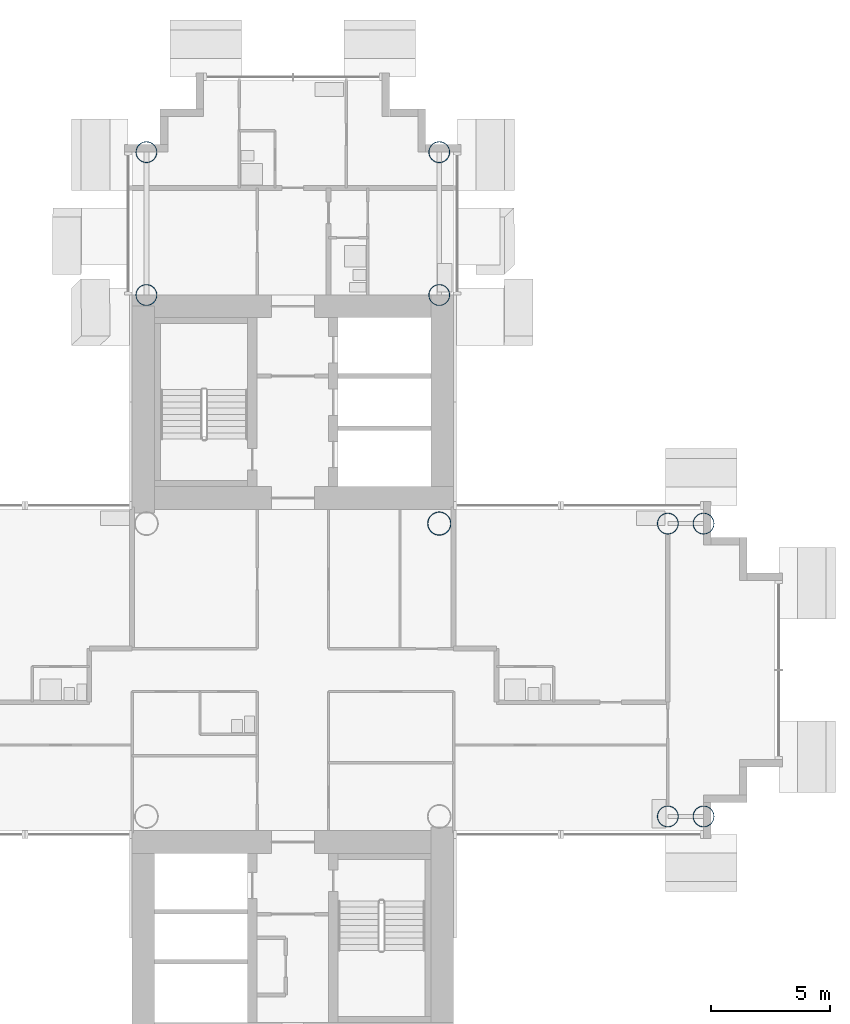
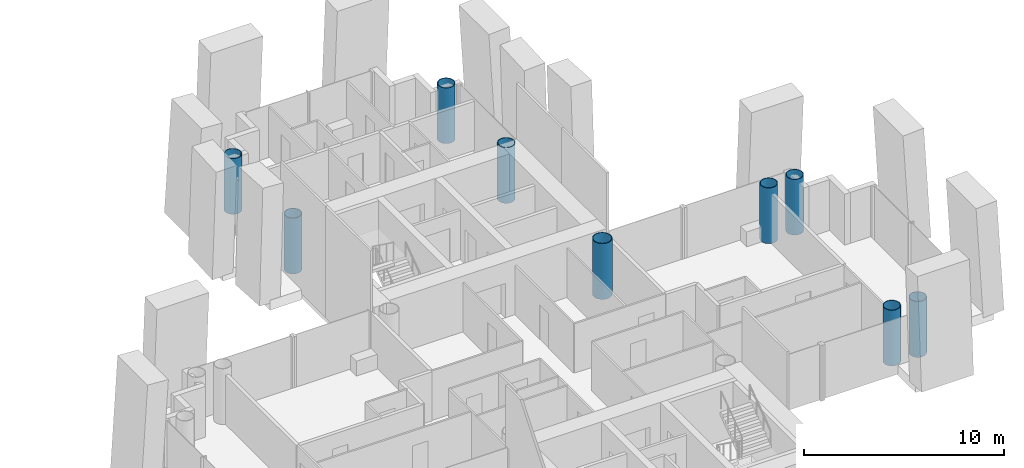
# One storey, part 2 of 21: 9 columns.
"""IFC4 building model written with IfcOpenShell, lengths in metres."""

from ifc_helpers import new_model, si_unit, direction, frame, origin, origin_2d, place, context, subcontext, project, spatial, hollow_circle, extrude, material, material_profile, profile_set, type_object, element, save


model = new_model("IFC4")

# Units and contexts
model_context = context("Model", 3, precision=1e-05, world=origin(), true_north=direction((0.0, 1.0)))
body_context = subcontext(model_context, "Body", "Model", "MODEL_VIEW")
ifc_project = project(units=[si_unit("LENGTHUNIT", "METRE"), si_unit("AREAUNIT", "SQUARE_METRE"), si_unit("VOLUMEUNIT", "CUBIC_METRE"), si_unit("PLANEANGLEUNIT", "RADIAN"), si_unit("MASSUNIT", "GRAM", prefix="KILO")], contexts=[model_context])

# Site, building, storey
site_placement = place(None, origin())
site = spatial("IfcSite", under=ifc_project, at=site_placement, CompositionType="ELEMENT")
building_placement = place(site_placement, origin())
building = spatial("IfcBuilding", under=site, at=building_placement, Name="Ipe Terrace Towers", CompositionType="ELEMENT")
storey_placement = place(building_placement, frame((0.0, 0.0, 80.0)))
storey = spatial("IfcBuildingStorey", under=building, at=storey_placement, Name="L21", CompositionType="ELEMENT", Elevation=80.0)

# Columns
ifc_material_1 = material(Name="Steel S355 tube with Concrete C60/75 fill", Category="concrete")
ifc_material_profile_1 = material_profile(ifc_material_1, hollow_circle(Radius=0.5, WallThickness=0.035888671875, at=origin_2d()), Name="CHS-1000x36")
ifc_profile_set_1 = profile_set([ifc_material_profile_1], Name="Steel S355 tube with Concrete C60/75 fill")
column_type_1 = type_object("IfcColumnType", Name="CH01 COLUMN CHS-1000x36", PredefinedType="COLUMN", material=ifc_profile_set_1)
column_placement = place(storey_placement, frame((42.14990234375, 6.14990234375, 0.0), z_axis=(0.0, 0.0, 1.0), x_axis=(1.0, 0.0, 0.0)))
element("IfcColumn", 1, at=column_placement, inside=storey, type_object=column_type_1, Name="Column T2-C-E02", PredefinedType="COLUMN", context=body_context, shape_type="SweptSolid", body=[
    extrude(hollow_circle(Radius=0.5, WallThickness=0.035888671875, at=origin_2d()), origin(), (0.0, 0.0, 1.0), 3.39990234375),
])
ifc_material_2 = material(Name="Steel S355 tube with Concrete C60/75 fill", Category="concrete")
ifc_material_profile_2 = material_profile(ifc_material_2, hollow_circle(Radius=0.449951171875, WallThickness=0.031982421875, at=origin_2d()), Name="CHS-900x32")
ifc_profile_set_2 = profile_set([ifc_material_profile_2], Name="Steel S355 tube with Concrete C60/75 fill")
column_type_2 = type_object("IfcColumnType", Name="CH10 COLUMN CHS-900x32", PredefinedType="COLUMN", material=ifc_profile_set_2)
for number, where, z_axis, x_axis, name in (
    (2, (42.14990234375, 15.75, 0.0), (0.0, 0.0, 1.0), (1.0, 0.0, 0.0), "Column T2-C-A01"),
    (3, (29.85009765625, 15.75, 0.0), (0.0, 0.0, 1.0), (1.0, 0.0, 0.0), "Column T2-C-A02"),
    (4, (42.14990234375, 21.75, 0.0), (0.0, 0.0, 1.0), (1.0, 0.0, 0.0), "Column T2-C-A03"),
    (5, (29.85009765625, 21.75, 0.0), (0.0, 0.0, 1.0), (1.0, 0.0, 0.0), "Column T2-C-A04"),
    (6, (51.75, -6.14990234375, 0.0), (0.0, 0.0, 1.0), (1.0, 0.0, 0.0), "Column T2-C-D03"),
    (7, (51.75, 6.14990234375, 0.0), (0.0, 0.0, 1.0), (1.0, 0.0, 0.0), "Column T2-C-D04"),
    (8, (53.25, -6.14990234375, 0.0), (0.0, 0.0, 1.0), (1.0, 0.0, 0.0), "Column T2-C-D05"),
    (9, (53.25, 6.14990234375, 0.0), (0.0, 0.0, 1.0), (1.0, 0.0, 0.0), "Column T2-C-D06"),
):
    element("IfcColumn", number, at=place(storey_placement, frame(where, z_axis=z_axis, x_axis=x_axis)), inside=storey, type_object=column_type_2, Name=name, PredefinedType="COLUMN", context=body_context, shape_type="SweptSolid", body=[
        extrude(hollow_circle(Radius=0.449951171875, WallThickness=0.031982421875, at=origin_2d()), origin(), (0.0, 0.0, 1.0), 3.39990234375),
    ])

save(model, "model.ifc")
